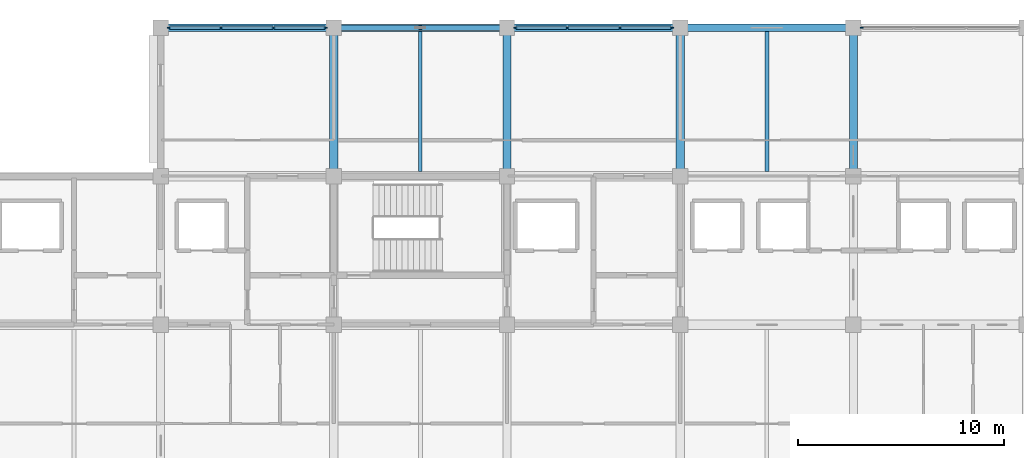
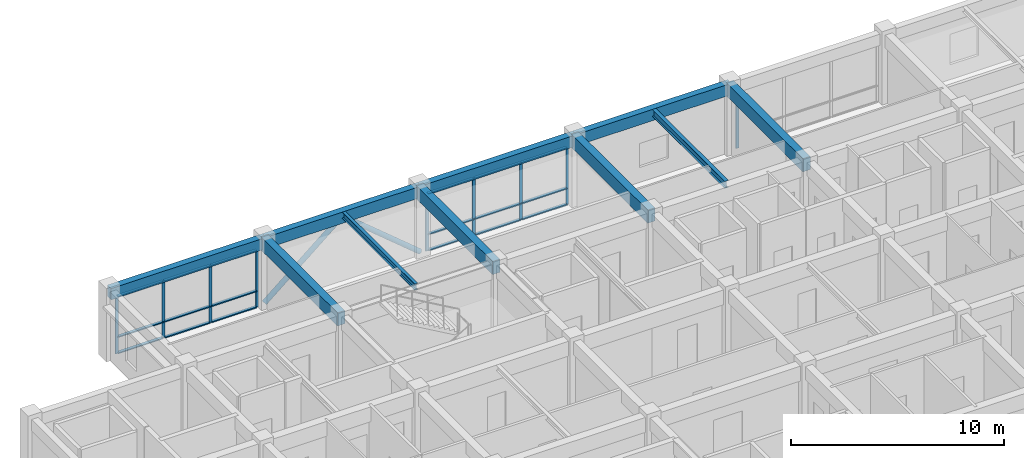
# One storey, part 7 of 27: 29 members, 10 beams, 3 elements without a shape of their own.
"""IFC4 building model written with IfcOpenShell, lengths in metres."""

from ifc_helpers import new_model, si_unit, direction, frame, origin, origin_2d, place, context, subcontext, project, spatial, rectangle, hollow_circle, i_section, extrude, material, layer, layer_set, material_profile, profile_set, type_object, element, aggregate, save


model = new_model("IFC4")

# Units and contexts
model_context = context("Model", 3, precision=1e-05, world=origin(), true_north=direction((0.0, 1.0)))
body_context = subcontext(model_context, "Body", "Model", "MODEL_VIEW")
ifc_project = project(units=[si_unit("LENGTHUNIT", "METRE"), si_unit("AREAUNIT", "SQUARE_METRE"), si_unit("VOLUMEUNIT", "CUBIC_METRE"), si_unit("PLANEANGLEUNIT", "RADIAN"), si_unit("MASSUNIT", "GRAM", prefix="KILO")], contexts=[model_context])

# Site, building, storey
site_placement = place(None, origin())
site = spatial("IfcSite", under=ifc_project, at=site_placement, CompositionType="ELEMENT")
building_placement = place(site_placement, origin())
building = spatial("IfcBuilding", under=site, at=building_placement, Name="Chengyuan Square Courthouse", CompositionType="ELEMENT")
storey_placement = place(building_placement, frame((0.0, 0.0, 39.300048828125)))
storey = spatial("IfcBuildingStorey", under=building, at=storey_placement, Name="L09", CompositionType="ELEMENT", Elevation=39.300048828125)

# Beams
ifc_material_1 = material(Name="Concrete C40", Category="concrete")
ifc_material_profile_1 = material_profile(ifc_material_1, rectangle(XDim=0.39990234375, YDim=0.75, at=origin_2d()), Name="RC-BM-400x750")
ifc_profile_set_1 = profile_set([ifc_material_profile_1], Name="Concrete C40")
beam_type_1 = type_object("IfcBeamType", Name="BM-02", PredefinedType="USERDEFINED", material=ifc_profile_set_1)
for number, where, z_axis, x_axis, name in (
    (1, (58.800048828125, 108.0, 3.574951171875), (0.0, 1.0, 0.0), (-1.0, 0.0, 0.0), "Girder BM-L09-3968"),
    (2, (67.199951171875, 108.0, 3.574951171875), (0.0, 1.0, 0.0), (-1.0, 0.0, 0.0), "Girder BM-L09-3973"),
    (3, (75.60009765625, 108.0, 3.574951171875), (0.0, 1.0, 0.0), (-1.0, 0.0, 0.0), "Girder BM-L09-3978"),
    (4, (84.0, 108.0, 3.574951171875), (0.0, 1.0, 0.0), (-1.0, 0.0, 0.0), "Girder BM-L09-3983"),
):
    element("IfcBeam", number, at=place(storey_placement, frame(where, z_axis=z_axis, x_axis=x_axis)), inside=storey, type_object=beam_type_1, Name=name, ObjectType="GIRDER", PredefinedType="USERDEFINED", context=body_context, shape_type="SweptSolid", body=[
        extrude(rectangle(XDim=0.39990234375, YDim=0.75, at=origin_2d()), origin(), (0.0, 0.0, 1.0), 7.199951171875),
    ])
ifc_material_profile_2 = material_profile(ifc_material_1, rectangle(XDim=0.35009765625, YDim=0.64990234375, at=origin_2d()), Name="RC-BM-350x650")
ifc_profile_set_2 = profile_set([ifc_material_profile_2], Name="Concrete C40")
beam_type_2 = type_object("IfcBeamType", Name="BM-03", PredefinedType="SPANDREL", material=ifc_profile_set_2)
beam_1_placement = place(storey_placement, frame((50.39990234375, 115.199951171875, 3.625), z_axis=(1.0, 0.0, 0.0), x_axis=(0.0, 1.0, 0.0)))
element("IfcBeam", 5, at=beam_1_placement, inside=storey, type_object=beam_type_2, Name="Girder BM-L09-3947", PredefinedType="SPANDREL", context=body_context, shape_type="SweptSolid", body=[
    extrude(rectangle(XDim=0.35009765625, YDim=0.64990234375, at=origin_2d()), origin(), (0.0, 0.0, 1.0), 8.400146484375),
])
beam_2_placement = place(storey_placement, frame((58.800048828125, 115.199951171875, 3.625), z_axis=(1.0, 0.0, 0.0), x_axis=(0.0, 1.0, 0.0)))
element("IfcBeam", 6, at=beam_2_placement, inside=storey, type_object=beam_type_2, Name="Girder BM-L09-3948", PredefinedType="SPANDREL", context=body_context, shape_type="SweptSolid", body=[
    extrude(rectangle(XDim=0.35009765625, YDim=0.64990234375, at=origin_2d()), origin(), (0.0, 0.0, 1.0), 8.39990234375),
])
beam_3_placement = place(storey_placement, frame((67.199951171875, 115.199951171875, 3.625), z_axis=(1.0, 0.0, 0.0), x_axis=(0.0, 1.0, 0.0)))
element("IfcBeam", 7, at=beam_3_placement, inside=storey, type_object=beam_type_2, Name="Girder BM-L09-3949", PredefinedType="SPANDREL", context=body_context, shape_type="SweptSolid", body=[
    extrude(rectangle(XDim=0.35009765625, YDim=0.64990234375, at=origin_2d()), origin(), (0.0, 0.0, 1.0), 8.400146484375),
])
beam_4_placement = place(storey_placement, frame((75.60009765625, 115.199951171875, 3.625), z_axis=(1.0, 0.0, 0.0), x_axis=(0.0, 1.0, 0.0)))
element("IfcBeam", 8, at=beam_4_placement, inside=storey, type_object=beam_type_2, Name="Girder BM-L09-3950", PredefinedType="SPANDREL", context=body_context, shape_type="SweptSolid", body=[
    extrude(rectangle(XDim=0.35009765625, YDim=0.64990234375, at=origin_2d()), origin(), (0.0, 0.0, 1.0), 8.39990234375),
])
ifc_material_2 = material(Name="Steel Q355B", Category="steel")
ifc_material_profile_3 = material_profile(ifc_material_2, i_section(OverallWidth=0.199951171875, OverallDepth=0.39990234375, WebThickness=0.008056640625, FlangeThickness=0.012939453125, at=origin_2d()), Name="HN 400x200x8x13")
ifc_profile_set_3 = profile_set([ifc_material_profile_3], Name="Steel Q355B")
beam_type_3 = type_object("IfcBeamType", Name="BM-07", PredefinedType="BEAM", material=ifc_profile_set_3)
beam_5_placement = place(storey_placement, frame((79.800048828125, 108.22509765625, 3.75), z_axis=(0.0, 1.0, 0.0), x_axis=(-1.0, 0.0, 0.0)))
element("IfcBeam", 9, at=beam_5_placement, inside=storey, type_object=beam_type_3, Name="Secondary Floor Beam SBM-L09-4017", PredefinedType="BEAM", context=body_context, shape_type="SweptSolid", body=[
    extrude(i_section(OverallWidth=0.199951171875, OverallDepth=0.39990234375, WebThickness=0.008056640625, FlangeThickness=0.012939453125, at=origin_2d()), origin(), (0.0, 0.0, 1.0), 6.7998046875),
])
ifc_material_profile_4 = material_profile(ifc_material_2, i_section(OverallWidth=0.175048828125, OverallDepth=0.35009765625, WebThickness=0.007080078125, FlangeThickness=0.010986328125, at=origin_2d()), Name="HN 350x175x7x11")
ifc_profile_set_4 = profile_set([ifc_material_profile_4], Name="Steel Q355B")
beam_type_4 = type_object("IfcBeamType", Name="BM-08", PredefinedType="BEAM", material=ifc_profile_set_4)
beam_6_placement = place(storey_placement, frame((63.0, 108.22509765625, 3.77490234375), z_axis=(0.0, 1.0, 0.0), x_axis=(-1.0, 0.0, 0.0)))
element("IfcBeam", 10, at=beam_6_placement, inside=storey, type_object=beam_type_4, Name="Secondary Floor Beam SBM-L09-4014", PredefinedType="BEAM", context=body_context, shape_type="SweptSolid", body=[
    extrude(i_section(OverallWidth=0.175048828125, OverallDepth=0.35009765625, WebThickness=0.007080078125, FlangeThickness=0.010986328125, at=origin_2d()), origin(), (0.0, 0.0, 1.0), 6.7998046875),
])

# Members
ifc_material_profile_5 = material_profile(ifc_material_2, hollow_circle(Radius=0.136474609375, WallThickness=0.010009765625, at=origin_2d()), Name="CHS 273x10")
ifc_profile_set_5 = profile_set([ifc_material_profile_5], Name="Steel Q355B")
member_type_1 = type_object("IfcMemberType", Name="BR-01", PredefinedType="BRACE", material=ifc_profile_set_5)
for number, where, z_axis, x_axis, name in (
    (11, (58.800048828125, 115.199951171875, 0.099853515625), (0.768217619255, 0.0, 0.64018879205), (0.0, 1.0, 0.0), "Steel Chevron Brace BR-L09-033"),
    (12, (67.199951171875, 115.199951171875, 0.099853515625), (-0.768217619255, 0.0, 0.64018879205), (0.0, -1.0, 0.0), "Steel Chevron Brace BR-L09-034"),
):
    element("IfcMember", number, at=place(storey_placement, frame(where, z_axis=z_axis, x_axis=x_axis)), inside=storey, type_object=member_type_1, Name=name, PredefinedType="BRACE", context=body_context, shape_type="SweptSolid", body=[
        extrude(hollow_circle(Radius=0.136474609375, WallThickness=0.010009765625, at=origin_2d()), origin(), (0.0, 0.0, 1.0), 5.467041015625),
    ])

# Curtain wall, members
ifc_material_3 = material(Name="Unitised Aluminium and Triple Low-E Glass", Category="aluminium")
ifc_layer = layer(ifc_material_3, 0.159912109375)
ifc_layer_set = layer_set([ifc_layer], Name="Unitised Aluminium and Triple Low-E Glass")
curtain_wall_type = type_object("IfcCurtainWallType", Name="CW-01", PredefinedType="USERDEFINED", material=ifc_layer_set)
curtain_wall_1_placement = place(storey_placement, origin())
curtain_wall_1 = element("IfcCurtainWall", 13, at=curtain_wall_1_placement, inside=storey, type_object=curtain_wall_type, Name="Unitised Curtain Wall CW-L09-236", ObjectType="UNITISED CURTAIN WALL", PredefinedType="USERDEFINED")
ifc_material_4 = material(Name="Aluminium 6063-T6 Frame", Category="aluminium")
ifc_material_profile_6 = material_profile(ifc_material_4, rectangle(XDim=0.06005859375, YDim=0.159912109375, at=origin_2d()), Name="CW-MUL-60x160")
ifc_profile_set_6 = profile_set([ifc_material_profile_6], Name="Aluminium 6063-T6 Frame")
member_type_2 = type_object("IfcMemberType", Name="CWM-01", PredefinedType="MULLION", material=ifc_profile_set_6)
member_1_placement = place(storey_placement, frame((50.804931640625, 115.199951171875, 0.0), z_axis=(0.0, 0.0, 1.0), x_axis=(0.0, 1.0, 0.0)))
member_1 = element("IfcMember", 14, at=member_1_placement, type_object=member_type_2, Name="CW-01 mullion 1", PredefinedType="MULLION", context=body_context, shape_type="SweptSolid", body=[
    extrude(rectangle(XDim=0.06005859375, YDim=0.159912109375, at=origin_2d()), origin(), (0.0, 0.0, 1.0), 3.300048828125),
])
member_2_placement = place(storey_placement, frame((53.324951171875, 115.199951171875, 0.0), z_axis=(0.0, 0.0, 1.0), x_axis=(0.0, 1.0, 0.0)))
member_2 = element("IfcMember", 15, at=member_2_placement, type_object=member_type_2, Name="CW-01 mullion 2", PredefinedType="MULLION", context=body_context, shape_type="SweptSolid", body=[
    extrude(rectangle(XDim=0.06005859375, YDim=0.159912109375, at=origin_2d()), origin(), (0.0, 0.0, 1.0), 3.300048828125),
])
member_3_placement = place(storey_placement, frame((55.875, 115.199951171875, 0.0), z_axis=(0.0, 0.0, 1.0), x_axis=(0.0, 1.0, 0.0)))
member_3 = element("IfcMember", 16, at=member_3_placement, type_object=member_type_2, Name="CW-01 mullion 3", PredefinedType="MULLION", context=body_context, shape_type="SweptSolid", body=[
    extrude(rectangle(XDim=0.06005859375, YDim=0.159912109375, at=origin_2d()), origin(), (0.0, 0.0, 1.0), 3.300048828125),
])
member_4_placement = place(storey_placement, frame((58.39501953125, 115.199951171875, 0.0), z_axis=(0.0, 0.0, 1.0), x_axis=(0.0, 1.0, 0.0)))
member_4 = element("IfcMember", 17, at=member_4_placement, type_object=member_type_2, Name="CW-01 mullion 4", PredefinedType="MULLION", context=body_context, shape_type="SweptSolid", body=[
    extrude(rectangle(XDim=0.06005859375, YDim=0.159912109375, at=origin_2d()), origin(), (0.0, 0.0, 1.0), 3.300048828125),
])

curtain_wall_2_placement = place(storey_placement, origin())
curtain_wall_2 = element("IfcCurtainWall", 18, at=curtain_wall_2_placement, inside=storey, type_object=curtain_wall_type, Name="Unitised Curtain Wall CW-L09-239", ObjectType="UNITISED CURTAIN WALL", PredefinedType="USERDEFINED")
member_5_placement = place(storey_placement, frame((67.60498046875, 115.199951171875, 0.0), z_axis=(0.0, 0.0, 1.0), x_axis=(0.0, 1.0, 0.0)))
member_5 = element("IfcMember", 19, at=member_5_placement, type_object=member_type_2, Name="CW-01 mullion 1", PredefinedType="MULLION", context=body_context, shape_type="SweptSolid", body=[
    extrude(rectangle(XDim=0.06005859375, YDim=0.159912109375, at=origin_2d()), origin(), (0.0, 0.0, 1.0), 3.300048828125),
])
member_6_placement = place(storey_placement, frame((70.125, 115.199951171875, 0.0), z_axis=(0.0, 0.0, 1.0), x_axis=(0.0, 1.0, 0.0)))
member_6 = element("IfcMember", 20, at=member_6_placement, type_object=member_type_2, Name="CW-01 mullion 2", PredefinedType="MULLION", context=body_context, shape_type="SweptSolid", body=[
    extrude(rectangle(XDim=0.06005859375, YDim=0.159912109375, at=origin_2d()), origin(), (0.0, 0.0, 1.0), 3.300048828125),
])
member_7_placement = place(storey_placement, frame((72.675048828125, 115.199951171875, 0.0), z_axis=(0.0, 0.0, 1.0), x_axis=(0.0, 1.0, 0.0)))
member_7 = element("IfcMember", 21, at=member_7_placement, type_object=member_type_2, Name="CW-01 mullion 3", PredefinedType="MULLION", context=body_context, shape_type="SweptSolid", body=[
    extrude(rectangle(XDim=0.06005859375, YDim=0.159912109375, at=origin_2d()), origin(), (0.0, 0.0, 1.0), 3.300048828125),
])
member_8_placement = place(storey_placement, frame((75.195068359375, 115.199951171875, 0.0), z_axis=(0.0, 0.0, 1.0), x_axis=(0.0, 1.0, 0.0)))
member_8 = element("IfcMember", 22, at=member_8_placement, type_object=member_type_2, Name="CW-01 mullion 4", PredefinedType="MULLION", context=body_context, shape_type="SweptSolid", body=[
    extrude(rectangle(XDim=0.06005859375, YDim=0.159912109375, at=origin_2d()), origin(), (0.0, 0.0, 1.0), 3.300048828125),
])

# Curtain wall, member
curtain_wall_3_placement = place(storey_placement, origin())
curtain_wall_3 = element("IfcCurtainWall", 23, at=curtain_wall_3_placement, inside=storey, type_object=curtain_wall_type, Name="Unitised Curtain Wall CW-L09-242", ObjectType="UNITISED CURTAIN WALL", PredefinedType="USERDEFINED")
member_9_placement = place(storey_placement, frame((84.405029296875, 115.199951171875, 0.0), z_axis=(0.0, 0.0, 1.0), x_axis=(0.0, 1.0, 0.0)))
member_9 = element("IfcMember", 24, at=member_9_placement, type_object=member_type_2, Name="CW-01 mullion 1", PredefinedType="MULLION", context=body_context, shape_type="SweptSolid", body=[
    extrude(rectangle(XDim=0.06005859375, YDim=0.159912109375, at=origin_2d()), origin(), (0.0, 0.0, 1.0), 3.300048828125),
])
aggregate(curtain_wall_3, [member_9])

# Member
ifc_material_profile_7 = material_profile(ifc_material_4, rectangle(XDim=0.159912109375, YDim=0.06005859375, at=origin_2d()), Name="CW-TRN-60x120")
ifc_profile_set_7 = profile_set([ifc_material_profile_7], Name="Aluminium 6063-T6 Frame")
member_type_3 = type_object("IfcMemberType", Name="CWT-01", PredefinedType="USERDEFINED", material=ifc_profile_set_7)
member_10_placement = place(storey_placement, frame((50.8349609375, 115.199951171875, 0.030029296875), z_axis=(1.0, 0.0, 0.0), x_axis=(0.0, 1.0, 0.0)))
member_10 = element("IfcMember", 25, at=member_10_placement, type_object=member_type_3, Name="CW-01 transom 1.1", ObjectType="TRANSOM", PredefinedType="USERDEFINED", context=body_context, shape_type="SweptSolid", body=[
    extrude(rectangle(XDim=0.159912109375, YDim=0.06005859375, at=origin_2d()), origin(), (0.0, 0.0, 1.0), 2.4599609375),
])

member_11_placement = place(storey_placement, frame((50.8349609375, 115.199951171875, 0.949951171875), z_axis=(1.0, 0.0, 0.0), x_axis=(0.0, 1.0, 0.0)))
member_11 = element("IfcMember", 26, at=member_11_placement, type_object=member_type_3, Name="CW-01 transom 1.2", ObjectType="TRANSOM", PredefinedType="USERDEFINED", context=body_context, shape_type="SweptSolid", body=[
    extrude(rectangle(XDim=0.159912109375, YDim=0.06005859375, at=origin_2d()), origin(), (0.0, 0.0, 1.0), 2.4599609375),
])

member_12_placement = place(storey_placement, frame((50.8349609375, 115.199951171875, 3.27001953125), z_axis=(1.0, 0.0, 0.0), x_axis=(0.0, 1.0, 0.0)))
member_12 = element("IfcMember", 27, at=member_12_placement, type_object=member_type_3, Name="CW-01 transom 1.3", ObjectType="TRANSOM", PredefinedType="USERDEFINED", context=body_context, shape_type="SweptSolid", body=[
    extrude(rectangle(XDim=0.159912109375, YDim=0.06005859375, at=origin_2d()), origin(), (0.0, 0.0, 1.0), 2.4599609375),
])

member_13_placement = place(storey_placement, frame((53.35498046875, 115.199951171875, 0.030029296875), z_axis=(1.0, 0.0, 0.0), x_axis=(0.0, 1.0, 0.0)))
member_13 = element("IfcMember", 28, at=member_13_placement, type_object=member_type_3, Name="CW-01 transom 2.1", ObjectType="TRANSOM", PredefinedType="USERDEFINED", context=body_context, shape_type="SweptSolid", body=[
    extrude(rectangle(XDim=0.159912109375, YDim=0.06005859375, at=origin_2d()), origin(), (0.0, 0.0, 1.0), 2.489990234375),
])

member_14_placement = place(storey_placement, frame((53.35498046875, 115.199951171875, 0.949951171875), z_axis=(1.0, 0.0, 0.0), x_axis=(0.0, 1.0, 0.0)))
member_14 = element("IfcMember", 29, at=member_14_placement, type_object=member_type_3, Name="CW-01 transom 2.2", ObjectType="TRANSOM", PredefinedType="USERDEFINED", context=body_context, shape_type="SweptSolid", body=[
    extrude(rectangle(XDim=0.159912109375, YDim=0.06005859375, at=origin_2d()), origin(), (0.0, 0.0, 1.0), 2.489990234375),
])

member_15_placement = place(storey_placement, frame((53.35498046875, 115.199951171875, 3.27001953125), z_axis=(1.0, 0.0, 0.0), x_axis=(0.0, 1.0, 0.0)))
member_15 = element("IfcMember", 30, at=member_15_placement, type_object=member_type_3, Name="CW-01 transom 2.3", ObjectType="TRANSOM", PredefinedType="USERDEFINED", context=body_context, shape_type="SweptSolid", body=[
    extrude(rectangle(XDim=0.159912109375, YDim=0.06005859375, at=origin_2d()), origin(), (0.0, 0.0, 1.0), 2.489990234375),
])

member_16_placement = place(storey_placement, frame((55.905029296875, 115.199951171875, 0.030029296875), z_axis=(1.0, 0.0, 0.0), x_axis=(0.0, 1.0, 0.0)))
member_16 = element("IfcMember", 31, at=member_16_placement, type_object=member_type_3, Name="CW-01 transom 3.1", ObjectType="TRANSOM", PredefinedType="USERDEFINED", context=body_context, shape_type="SweptSolid", body=[
    extrude(rectangle(XDim=0.159912109375, YDim=0.06005859375, at=origin_2d()), origin(), (0.0, 0.0, 1.0), 2.4599609375),
])

member_17_placement = place(storey_placement, frame((55.905029296875, 115.199951171875, 0.949951171875), z_axis=(1.0, 0.0, 0.0), x_axis=(0.0, 1.0, 0.0)))
member_17 = element("IfcMember", 32, at=member_17_placement, type_object=member_type_3, Name="CW-01 transom 3.2", ObjectType="TRANSOM", PredefinedType="USERDEFINED", context=body_context, shape_type="SweptSolid", body=[
    extrude(rectangle(XDim=0.159912109375, YDim=0.06005859375, at=origin_2d()), origin(), (0.0, 0.0, 1.0), 2.4599609375),
])

member_18_placement = place(storey_placement, frame((55.905029296875, 115.199951171875, 3.27001953125), z_axis=(1.0, 0.0, 0.0), x_axis=(0.0, 1.0, 0.0)))
member_18 = element("IfcMember", 33, at=member_18_placement, type_object=member_type_3, Name="CW-01 transom 3.3", ObjectType="TRANSOM", PredefinedType="USERDEFINED", context=body_context, shape_type="SweptSolid", body=[
    extrude(rectangle(XDim=0.159912109375, YDim=0.06005859375, at=origin_2d()), origin(), (0.0, 0.0, 1.0), 2.4599609375),
])

aggregate(curtain_wall_1, [member_1, member_2, member_3, member_4, member_10, member_11, member_12, member_13, member_14, member_15, member_16, member_17, member_18])

member_19_placement = place(storey_placement, frame((67.635009765625, 115.199951171875, 0.030029296875), z_axis=(1.0, 0.0, 0.0), x_axis=(0.0, 1.0, 0.0)))
member_19 = element("IfcMember", 34, at=member_19_placement, type_object=member_type_3, Name="CW-01 transom 1.1", ObjectType="TRANSOM", PredefinedType="USERDEFINED", context=body_context, shape_type="SweptSolid", body=[
    extrude(rectangle(XDim=0.159912109375, YDim=0.06005859375, at=origin_2d()), origin(), (0.0, 0.0, 1.0), 2.4599609375),
])

member_20_placement = place(storey_placement, frame((67.635009765625, 115.199951171875, 0.949951171875), z_axis=(1.0, 0.0, 0.0), x_axis=(0.0, 1.0, 0.0)))
member_20 = element("IfcMember", 35, at=member_20_placement, type_object=member_type_3, Name="CW-01 transom 1.2", ObjectType="TRANSOM", PredefinedType="USERDEFINED", context=body_context, shape_type="SweptSolid", body=[
    extrude(rectangle(XDim=0.159912109375, YDim=0.06005859375, at=origin_2d()), origin(), (0.0, 0.0, 1.0), 2.4599609375),
])

member_21_placement = place(storey_placement, frame((67.635009765625, 115.199951171875, 3.27001953125), z_axis=(1.0, 0.0, 0.0), x_axis=(0.0, 1.0, 0.0)))
member_21 = element("IfcMember", 36, at=member_21_placement, type_object=member_type_3, Name="CW-01 transom 1.3", ObjectType="TRANSOM", PredefinedType="USERDEFINED", context=body_context, shape_type="SweptSolid", body=[
    extrude(rectangle(XDim=0.159912109375, YDim=0.06005859375, at=origin_2d()), origin(), (0.0, 0.0, 1.0), 2.4599609375),
])

member_22_placement = place(storey_placement, frame((70.155029296875, 115.199951171875, 0.030029296875), z_axis=(1.0, 0.0, 0.0), x_axis=(0.0, 1.0, 0.0)))
member_22 = element("IfcMember", 37, at=member_22_placement, type_object=member_type_3, Name="CW-01 transom 2.1", ObjectType="TRANSOM", PredefinedType="USERDEFINED", context=body_context, shape_type="SweptSolid", body=[
    extrude(rectangle(XDim=0.159912109375, YDim=0.06005859375, at=origin_2d()), origin(), (0.0, 0.0, 1.0), 2.489990234375),
])

member_23_placement = place(storey_placement, frame((70.155029296875, 115.199951171875, 0.949951171875), z_axis=(1.0, 0.0, 0.0), x_axis=(0.0, 1.0, 0.0)))
member_23 = element("IfcMember", 38, at=member_23_placement, type_object=member_type_3, Name="CW-01 transom 2.2", ObjectType="TRANSOM", PredefinedType="USERDEFINED", context=body_context, shape_type="SweptSolid", body=[
    extrude(rectangle(XDim=0.159912109375, YDim=0.06005859375, at=origin_2d()), origin(), (0.0, 0.0, 1.0), 2.489990234375),
])

member_24_placement = place(storey_placement, frame((70.155029296875, 115.199951171875, 3.27001953125), z_axis=(1.0, 0.0, 0.0), x_axis=(0.0, 1.0, 0.0)))
member_24 = element("IfcMember", 39, at=member_24_placement, type_object=member_type_3, Name="CW-01 transom 2.3", ObjectType="TRANSOM", PredefinedType="USERDEFINED", context=body_context, shape_type="SweptSolid", body=[
    extrude(rectangle(XDim=0.159912109375, YDim=0.06005859375, at=origin_2d()), origin(), (0.0, 0.0, 1.0), 2.489990234375),
])

member_25_placement = place(storey_placement, frame((72.705078125, 115.199951171875, 0.030029296875), z_axis=(1.0, 0.0, 0.0), x_axis=(0.0, 1.0, 0.0)))
member_25 = element("IfcMember", 40, at=member_25_placement, type_object=member_type_3, Name="CW-01 transom 3.1", ObjectType="TRANSOM", PredefinedType="USERDEFINED", context=body_context, shape_type="SweptSolid", body=[
    extrude(rectangle(XDim=0.159912109375, YDim=0.06005859375, at=origin_2d()), origin(), (0.0, 0.0, 1.0), 2.4599609375),
])

member_26_placement = place(storey_placement, frame((72.705078125, 115.199951171875, 0.949951171875), z_axis=(1.0, 0.0, 0.0), x_axis=(0.0, 1.0, 0.0)))
member_26 = element("IfcMember", 41, at=member_26_placement, type_object=member_type_3, Name="CW-01 transom 3.2", ObjectType="TRANSOM", PredefinedType="USERDEFINED", context=body_context, shape_type="SweptSolid", body=[
    extrude(rectangle(XDim=0.159912109375, YDim=0.06005859375, at=origin_2d()), origin(), (0.0, 0.0, 1.0), 2.4599609375),
])

member_27_placement = place(storey_placement, frame((72.705078125, 115.199951171875, 3.27001953125), z_axis=(1.0, 0.0, 0.0), x_axis=(0.0, 1.0, 0.0)))
member_27 = element("IfcMember", 42, at=member_27_placement, type_object=member_type_3, Name="CW-01 transom 3.3", ObjectType="TRANSOM", PredefinedType="USERDEFINED", context=body_context, shape_type="SweptSolid", body=[
    extrude(rectangle(XDim=0.159912109375, YDim=0.06005859375, at=origin_2d()), origin(), (0.0, 0.0, 1.0), 2.4599609375),
])

aggregate(curtain_wall_2, [member_5, member_6, member_7, member_8, member_19, member_20, member_21, member_22, member_23, member_24, member_25, member_26, member_27])

save(model, "model.ifc")
